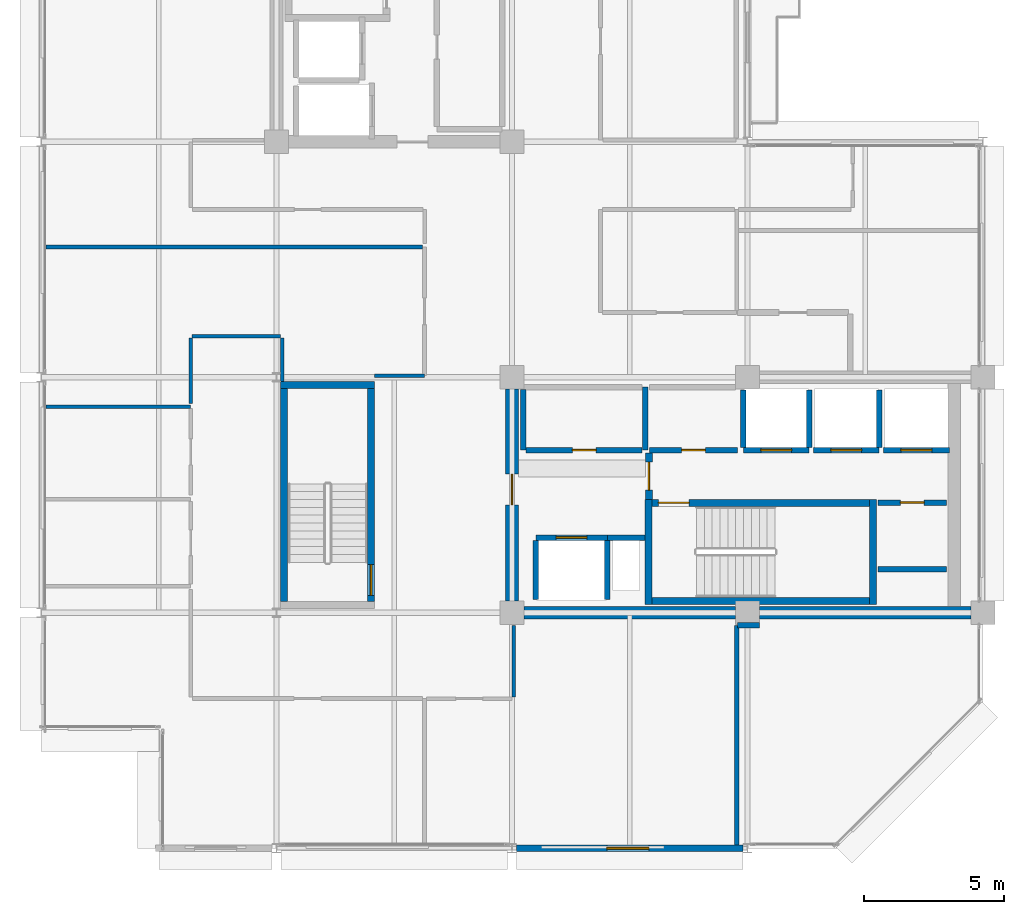
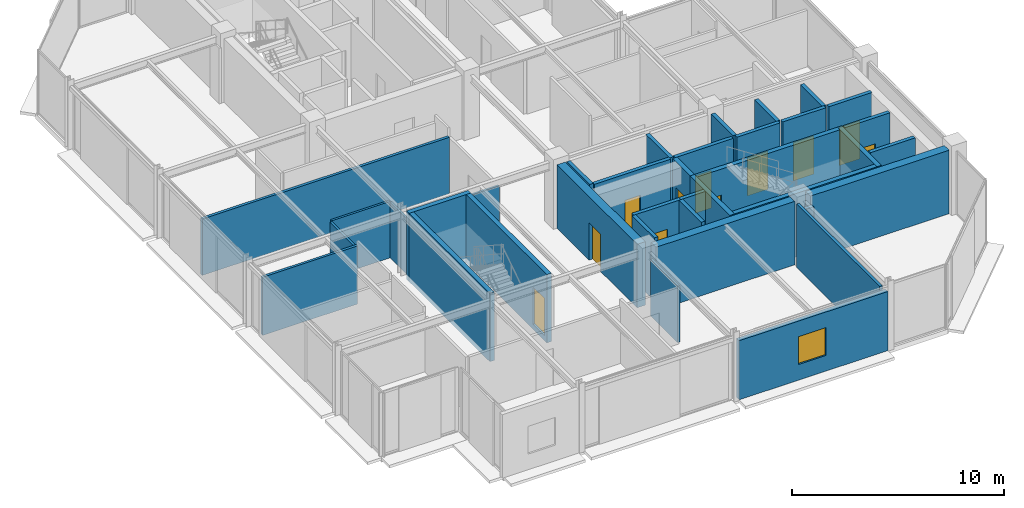
# One storey, part 20 of 25: 37 walls, 11 doors, 1 window, 12 openings.
"""IFC4 building model written with IfcOpenShell, lengths in metres."""

from ifc_helpers import new_model, si_unit, direction, frame, frame_2d, origin, place, context, subcontext, project, spatial, rectangle, extrude, material, layer, layer_set, type_object, element, fill, save


model = new_model("IFC4")

# Units and contexts
model_context = context("Model", 3, precision=1e-05, world=origin(), true_north=direction((0.0, 1.0)))
body_context = subcontext(model_context, "Body", "Model", "MODEL_VIEW")
ifc_project = project(units=[si_unit("LENGTHUNIT", "METRE"), si_unit("AREAUNIT", "SQUARE_METRE"), si_unit("VOLUMEUNIT", "CUBIC_METRE"), si_unit("PLANEANGLEUNIT", "RADIAN"), si_unit("MASSUNIT", "GRAM", prefix="KILO")], contexts=[model_context])

# Site, building, storey
site_placement = place(None, origin())
site = spatial("IfcSite", under=ifc_project, at=site_placement, CompositionType="ELEMENT")
building_placement = place(site_placement, origin())
building = spatial("IfcBuilding", under=site, at=building_placement, Name="Nerrivon Quay Data Exchange", CompositionType="ELEMENT")
storey_placement = place(building_placement, frame((0.0, 0.0, 318.199951171875)))
storey = spatial("IfcBuildingStorey", under=building, at=storey_placement, Name="L76", CompositionType="ELEMENT", Elevation=318.199951171875)

# Wall, opening, window
ifc_material_1 = material(Name="Architectural terracotta precast concrete N50 (50 MPa)", Category="masonry")
ifc_layer_1 = layer(ifc_material_1, 0.239990234375)
ifc_layer_set_1 = layer_set([ifc_layer_1], Name="Architectural terracotta precast concrete N50 (50 MPa)")
wall_type_1 = type_object("IfcWallType", Name="EW-PREC-240", PredefinedType="STANDARD", material=ifc_layer_set_1)
wall_1_placement = place(storey_placement, frame((25.04443359375, 0.0, 0.0), z_axis=(0.0, 0.0, 1.0), x_axis=(-1.0, 0.0, 0.0)))
wall_1 = element("IfcWall", 1, at=wall_1_placement, inside=storey, type_object=wall_type_1, Name="L76 Podium Precast Spandrel Wall 3", PredefinedType="STANDARD", context=body_context, shape_type="SweptSolid", body=[
    extrude(rectangle(XDim=8.0888671875, YDim=0.239990234375, at=frame_2d((4.04443359375, 0.0))), origin(), (0.0, 0.0, 1.0), 3.400146484375),
])
opening_1_placement = place(wall_1_placement, frame((3.36376953125, 0.0, 0.89990234375)))
opening_1 = element("IfcOpeningElement", 2, at=opening_1_placement, cuts=wall_1, Name="Opening WN4", PredefinedType="OPENING", context=body_context, shape_type="SweptSolid", body=[
    extrude(rectangle(XDim=1.5, YDim=1.60009765625, at=frame_2d((0.75, 0.800048828125))), frame((0.0, 0.1298828125, 0.0), z_axis=(0.0, -1.0, 0.0), x_axis=(1.0, 0.0, 0.0)), (0.0, 0.0, 1.0), 0.260009765625),
])
ifc_material_2 = material(Name="Double-glazed low-E solar control glass", Category="glass")
window_type = type_object("IfcWindowType", Name="WIN-W4-1500x1600", PartitioningType="SINGLE_PANEL", PredefinedType="WINDOW", material=ifc_material_2)
window_placement = place(opening_1_placement, origin())
window = element("IfcWindow", 3, at=window_placement, inside=storey, type_object=window_type, Name="L76 Solar Facade Window 3", OverallHeight=1.60009765625, OverallWidth=1.5, PartitioningType="SINGLE_PANEL", PredefinedType="WINDOW", context=body_context, shape_type="SweptSolid", body=[
    extrude(rectangle(XDim=1.5, YDim=1.60009765625, at=frame_2d((0.75, 0.800048828125))), frame((0.0, 0.030029296875, 0.0), z_axis=(0.0, -1.0, 0.0), x_axis=(1.0, 0.0, 0.0)), (0.0, 0.0, 1.0), 0.06005859375),
])
fill(opening_1, window)

# Walls
ifc_material_3 = material(Name="Concrete N50 (50 MPa)", Category="concrete")
ifc_layer_2 = layer(ifc_material_3, 0.449951171875)
ifc_layer_set_2 = layer_set([ifc_layer_2], Name="Concrete N50 (50 MPa)")
wall_type_2 = type_object("IfcWallType", Name="WALL-CW-550", PredefinedType="SHEAR", material=ifc_layer_set_2)
wall_2_placement = place(storey_placement, frame((17.22509765625, 8.39990234375, 0.0), z_axis=(0.0, 0.0, 1.0), x_axis=(1.0, 0.0, 0.0)))
element("IfcWall", 4, at=wall_2_placement, inside=storey, type_object=wall_type_2, Name="L76 East Split-Core Shear Wall ECW-S1", PredefinedType="SHEAR", context=body_context, shape_type="SweptSolid", body=[
    extrude(rectangle(XDim=7.5498046875, YDim=0.449951171875, at=frame_2d((3.77490234375, 0.0))), origin(), (0.0, 0.0, 1.0), 3.650146484375),
])
wall_3_placement = place(storey_placement, frame((25.625, 8.39990234375, 0.0), z_axis=(0.0, 0.0, 1.0), x_axis=(1.0, 0.0, 0.0)))
element("IfcWall", 5, at=wall_3_placement, inside=storey, type_object=wall_type_2, Name="L76 East Split-Core Shear Wall ECW-S2", PredefinedType="SHEAR", context=body_context, shape_type="SweptSolid", body=[
    extrude(rectangle(XDim=7.550048828125, YDim=0.449951171875, at=frame_2d((3.77490234375, 0.0))), origin(), (0.0, 0.0, 1.0), 3.650146484375),
])

# Wall, opening, door
wall_4_placement = place(storey_placement, frame((16.800048828125, 8.824951171875, 0.0), z_axis=(0.0, 0.0, 1.0), x_axis=(0.0, 1.0, 0.0)))
wall_4 = element("IfcWall", 6, at=wall_4_placement, inside=storey, type_object=wall_type_2, Name="L76 East Split-Core Shear Wall ECW-W1", PredefinedType="SHEAR", context=body_context, shape_type="SweptSolid", body=[
    extrude(rectangle(XDim=7.550048828125, YDim=0.449951171875, at=frame_2d((3.77490234375, 0.0))), origin(), (0.0, 0.0, 1.0), 3.650146484375),
])
opening_2_placement = place(wall_4_placement, frame((3.425048828125, 0.0, 0.0)))
opening_2 = element("IfcOpeningElement", 7, at=opening_2_placement, cuts=wall_4, Name="Opening FD-120", PredefinedType="OPENING", context=body_context, shape_type="SweptSolid", body=[
    extrude(rectangle(XDim=1.10009765625, YDim=2.14990234375, at=frame_2d((0.550048828125, 1.074951171875))), frame((0.0, 0.23486328125, 0.0), z_axis=(0.0, -1.0, 0.0), x_axis=(1.0, 0.0, 0.0)), (0.0, 0.0, 1.0), 0.469970703125),
])
ifc_material_4 = material(Name="Powder-coated galvanized steel sheet", Category="steel")
door_type_1 = type_object("IfcDoorType", Name="DR-FD120-1100", OperationType="NOTDEFINED", PredefinedType="DOOR", material=ifc_material_4)
door_1_placement = place(opening_2_placement, origin())
door_1 = element("IfcDoor", 8, at=door_1_placement, inside=storey, type_object=door_type_1, Name="L76 East Core Lobby Fire Door", OperationType="SINGLE_SWING_RIGHT", OverallHeight=2.14990234375, OverallWidth=1.10009765625, PredefinedType="DOOR", context=body_context, shape_type="SweptSolid", body=[
    extrude(rectangle(XDim=1.10009765625, YDim=2.14990234375, at=frame_2d((0.550048828125, 1.074951171875))), frame((0.0, 0.02490234375, 0.0), z_axis=(0.0, -1.0, 0.0), x_axis=(1.0, 0.0, 0.0)), (0.0, 0.0, 1.0), 0.050048828125),
])
fill(opening_2, door_1)

# Wall
ifc_material_5 = material(Name="Gypsum plasterboard on cold-formed framing", Category="gypsum")
ifc_layer_3 = layer(ifc_material_5, 0.199951171875)
ifc_layer_set_3 = layer_set([ifc_layer_3], Name="Gypsum plasterboard on cold-formed framing")
wall_type_3 = type_object("IfcWallType", Name="WALL-FW-200", PredefinedType="PARTITIONING", material=ifc_layer_set_3)
wall_5_placement = place(storey_placement, frame((20.199951171875, 11.080078125, 0.0), z_axis=(0.0, 0.0, 1.0), x_axis=(1.0, 0.0, 0.0)))
element("IfcWall", 9, at=wall_5_placement, inside=storey, type_object=wall_type_3, Name="L76 East Core MEP Riser Shaft Wall N", PredefinedType="PARTITIONING", context=body_context, shape_type="SweptSolid", body=[
    extrude(rectangle(XDim=1.35009765625, YDim=0.199951171875, at=frame_2d((0.675048828125, 0.0))), origin(), (0.0, 0.0, 1.0), 3.650146484375),
])

# Wall, opening, door
wall_6_placement = place(storey_placement, frame((17.64990234375, 11.080078125, 0.0), z_axis=(0.0, 0.0, 1.0), x_axis=(1.0, 0.0, 0.0)))
wall_6 = element("IfcWall", 10, at=wall_6_placement, inside=storey, type_object=wall_type_3, Name="L76 Lift Front Wall FFL-2", PredefinedType="PARTITIONING", context=body_context, shape_type="SweptSolid", body=[
    extrude(rectangle(XDim=2.550048828125, YDim=0.199951171875, at=frame_2d((1.27490234375, 0.0))), origin(), (0.0, 0.0, 1.0), 3.650146484375),
])
opening_3_placement = place(wall_6_placement, frame((0.72509765625, 0.0, 0.0)))
opening_3 = element("IfcOpeningElement", 11, at=opening_3_placement, cuts=wall_6, Name="Opening LD-120", PredefinedType="OPENING", context=body_context, shape_type="SweptSolid", body=[
    extrude(rectangle(XDim=1.10009765625, YDim=2.199951171875, at=frame_2d((0.550048828125, 1.10009765625))), frame((0.0, 0.10986328125, 0.0), z_axis=(0.0, -1.0, 0.0), x_axis=(1.0, 0.0, 0.0)), (0.0, 0.0, 1.0), 0.219970703125),
])
door_type_2 = type_object("IfcDoorType", Name="DR-LIFT-LD120", OperationType="DOUBLE_DOOR_SLIDING", PredefinedType="DOOR", material=ifc_material_4)
door_2_placement = place(opening_3_placement, origin())
door_2 = element("IfcDoor", 12, at=door_2_placement, inside=storey, type_object=door_type_2, Name="L76 Lift Landing Sliding Door FFL-2", OperationType="DOUBLE_DOOR_SLIDING", OverallHeight=2.199951171875, OverallWidth=1.10009765625, PredefinedType="DOOR", context=body_context, shape_type="SweptSolid", body=[
    extrude(rectangle(XDim=1.10009765625, YDim=2.199951171875, at=frame_2d((0.550048828125, 1.10009765625))), frame((0.0, 0.02490234375, 0.0), z_axis=(0.0, -1.0, 0.0), x_axis=(1.0, 0.0, 0.0)), (0.0, 0.0, 1.0), 0.050048828125),
])
fill(opening_3, door_2)

# Walls
for number, where, z_axis, x_axis, name in (
    (13, (20.199951171875, 8.8798828125, 0.0), (0.0, 0.0, 1.0), (0.0, 1.0, 0.0), "L76 Lift Shaft Wall FFL-2 EAST"),
    (14, (17.64990234375, 8.8798828125, 0.0), (0.0, 0.0, 1.0), (0.0, 1.0, 0.0), "L76 Lift Shaft Wall FFL-2 WEST"),
):
    element("IfcWall", number, at=place(storey_placement, frame(where, z_axis=z_axis, x_axis=x_axis)), inside=storey, type_object=wall_type_3, Name=name, PredefinedType="PARTITIONING", context=body_context, shape_type="SweptSolid", body=[
        extrude(rectangle(XDim=2.10009765625, YDim=0.199951171875, at=frame_2d((1.050048828125, 0.0))), origin(), (0.0, 0.0, 1.0), 3.650146484375),
    ])

# Wall, opening, door
wall_7_placement = place(storey_placement, frame((25.050048828125, 14.199951171875, 0.0), z_axis=(0.0, 0.0, 1.0), x_axis=(1.0, 0.0, 0.0)))
wall_7 = element("IfcWall", 15, at=wall_7_placement, inside=storey, type_object=wall_type_3, Name="L76 Lift Front Wall PL7", PredefinedType="PARTITIONING", context=body_context, shape_type="SweptSolid", body=[
    extrude(rectangle(XDim=2.349853515625, YDim=0.199951171875, at=frame_2d((1.1748046875, 0.0))), origin(), (0.0, 0.0, 1.0), 3.650146484375),
])
opening_4_placement = place(wall_7_placement, frame((0.625, 0.0, 0.0)))
opening_4 = element("IfcOpeningElement", 16, at=opening_4_placement, cuts=wall_7, Name="Opening LD-120", PredefinedType="OPENING", context=body_context, shape_type="SweptSolid", body=[
    extrude(rectangle(XDim=1.10009765625, YDim=2.199951171875, at=frame_2d((0.550048828125, 1.10009765625))), frame((0.0, 0.10986328125, 0.0), z_axis=(0.0, -1.0, 0.0), x_axis=(1.0, 0.0, 0.0)), (0.0, 0.0, 1.0), 0.219970703125),
])
door_3_placement = place(opening_4_placement, origin())
door_3 = element("IfcDoor", 17, at=door_3_placement, inside=storey, type_object=door_type_2, Name="L76 Lift Landing Sliding Door PL7", OperationType="DOUBLE_DOOR_SLIDING", OverallHeight=2.199951171875, OverallWidth=1.10009765625, PredefinedType="DOOR", context=body_context, shape_type="SweptSolid", body=[
    extrude(rectangle(XDim=1.10009765625, YDim=2.199951171875, at=frame_2d((0.550048828125, 1.10009765625))), frame((0.0, 0.02490234375, 0.0), z_axis=(0.0, -1.0, 0.0), x_axis=(1.0, 0.0, 0.0)), (0.0, 0.0, 1.0), 0.050048828125),
])
fill(opening_4, door_3)

# Walls
for number, where, z_axis, x_axis, name in (
    (18, (27.39990234375, 14.300048828125, 0.0), (0.0, 0.0, 1.0), (0.0, 1.0, 0.0), "L76 Lift Shaft Wall PL7 EAST"),
    (19, (25.050048828125, 14.300048828125, 0.0), (0.0, 0.0, 1.0), (0.0, 1.0, 0.0), "L76 Lift Shaft Wall PL7 WEST"),
):
    element("IfcWall", number, at=place(storey_placement, frame(where, z_axis=z_axis, x_axis=x_axis)), inside=storey, type_object=wall_type_3, Name=name, PredefinedType="PARTITIONING", context=body_context, shape_type="SweptSolid", body=[
        extrude(rectangle(XDim=2.050048828125, YDim=0.199951171875, at=frame_2d((1.02490234375, 0.0))), origin(), (0.0, 0.0, 1.0), 3.650146484375),
    ])

# Wall, opening, door
wall_8_placement = place(storey_placement, frame((27.550048828125, 14.199951171875, 0.0), z_axis=(0.0, 0.0, 1.0), x_axis=(1.0, 0.0, 0.0)))
wall_8 = element("IfcWall", 20, at=wall_8_placement, inside=storey, type_object=wall_type_3, Name="L76 Lift Front Wall PL8", PredefinedType="PARTITIONING", context=body_context, shape_type="SweptSolid", body=[
    extrude(rectangle(XDim=2.349853515625, YDim=0.199951171875, at=frame_2d((1.1748046875, 0.0))), origin(), (0.0, 0.0, 1.0), 3.650146484375),
])
opening_5_placement = place(wall_8_placement, frame((0.625, 0.0, 0.0)))
opening_5 = element("IfcOpeningElement", 21, at=opening_5_placement, cuts=wall_8, Name="Opening LD-120", PredefinedType="OPENING", context=body_context, shape_type="SweptSolid", body=[
    extrude(rectangle(XDim=1.10009765625, YDim=2.199951171875, at=frame_2d((0.550048828125, 1.10009765625))), frame((0.0, 0.10986328125, 0.0), z_axis=(0.0, -1.0, 0.0), x_axis=(1.0, 0.0, 0.0)), (0.0, 0.0, 1.0), 0.219970703125),
])
door_4_placement = place(opening_5_placement, origin())
door_4 = element("IfcDoor", 22, at=door_4_placement, inside=storey, type_object=door_type_2, Name="L76 Lift Landing Sliding Door PL8", OperationType="DOUBLE_DOOR_SLIDING", OverallHeight=2.199951171875, OverallWidth=1.10009765625, PredefinedType="DOOR", context=body_context, shape_type="SweptSolid", body=[
    extrude(rectangle(XDim=1.10009765625, YDim=2.199951171875, at=frame_2d((0.550048828125, 1.10009765625))), frame((0.0, 0.02490234375, 0.0), z_axis=(0.0, -1.0, 0.0), x_axis=(1.0, 0.0, 0.0)), (0.0, 0.0, 1.0), 0.050048828125),
])
fill(opening_5, door_4)

# Wall
wall_9_placement = place(storey_placement, frame((29.89990234375, 14.300048828125, 0.0), z_axis=(0.0, 0.0, 1.0), x_axis=(0.0, 1.0, 0.0)))
element("IfcWall", 23, at=wall_9_placement, inside=storey, type_object=wall_type_3, Name="L76 Lift Shaft Wall PL8 EAST", PredefinedType="PARTITIONING", context=body_context, shape_type="SweptSolid", body=[
    extrude(rectangle(XDim=2.050048828125, YDim=0.199951171875, at=frame_2d((1.02490234375, 0.0))), origin(), (0.0, 0.0, 1.0), 3.650146484375),
])

# Wall, opening, door
wall_10_placement = place(storey_placement, frame((30.050048828125, 14.199951171875, 0.0), z_axis=(0.0, 0.0, 1.0), x_axis=(1.0, 0.0, 0.0)))
wall_10 = element("IfcWall", 24, at=wall_10_placement, inside=storey, type_object=wall_type_3, Name="L76 Lift Front Wall PL9", PredefinedType="PARTITIONING", context=body_context, shape_type="SweptSolid", body=[
    extrude(rectangle(XDim=2.349853515625, YDim=0.199951171875, at=frame_2d((1.1748046875, 0.0))), origin(), (0.0, 0.0, 1.0), 3.650146484375),
])
opening_6_placement = place(wall_10_placement, frame((0.625, 0.0, 0.0)))
opening_6 = element("IfcOpeningElement", 25, at=opening_6_placement, cuts=wall_10, Name="Opening LD-120", PredefinedType="OPENING", context=body_context, shape_type="SweptSolid", body=[
    extrude(rectangle(XDim=1.10009765625, YDim=2.199951171875, at=frame_2d((0.550048828125, 1.10009765625))), frame((0.0, 0.10986328125, 0.0), z_axis=(0.0, -1.0, 0.0), x_axis=(1.0, 0.0, 0.0)), (0.0, 0.0, 1.0), 0.219970703125),
])
door_5_placement = place(opening_6_placement, origin())
door_5 = element("IfcDoor", 26, at=door_5_placement, inside=storey, type_object=door_type_2, Name="L76 Lift Landing Sliding Door PL9", OperationType="DOUBLE_DOOR_SLIDING", OverallHeight=2.199951171875, OverallWidth=1.10009765625, PredefinedType="DOOR", context=body_context, shape_type="SweptSolid", body=[
    extrude(rectangle(XDim=1.10009765625, YDim=2.199951171875, at=frame_2d((0.550048828125, 1.10009765625))), frame((0.0, 0.02490234375, 0.0), z_axis=(0.0, -1.0, 0.0), x_axis=(1.0, 0.0, 0.0)), (0.0, 0.0, 1.0), 0.050048828125),
])
fill(opening_6, door_5)

# Walls
wall_11_placement = place(storey_placement, frame((21.550048828125, 14.199951171875, 0.0), z_axis=(0.0, 0.0, 1.0), x_axis=(0.0, 1.0, 0.0)))
element("IfcWall", 27, at=wall_11_placement, inside=storey, type_object=wall_type_3, Name="L76 Partition High-Zone Calibration Store", PredefinedType="PARTITIONING", context=body_context, shape_type="SweptSolid", body=[
    extrude(rectangle(XDim=2.25, YDim=0.199951171875, at=frame_2d((1.125, 0.0))), origin(), (0.0, 0.0, 1.0), 3.650146484375),
])
wall_12_placement = place(storey_placement, frame((17.199951171875, 16.3701171875, 0.0), z_axis=(0.0, 0.0, 1.0), x_axis=(0.0, -1.0, 0.0)))
element("IfcWall", 28, at=wall_12_placement, inside=storey, type_object=wall_type_3, Name="L76 Partition High-Zone Calibration Store", PredefinedType="PARTITIONING", context=body_context, shape_type="SweptSolid", body=[
    extrude(rectangle(XDim=2.170166015625, YDim=0.199951171875, at=frame_2d((1.0849609375, 0.0))), origin(), (0.0, 0.0, 1.0), 3.650146484375),
])

# Wall, opening, door
wall_13_placement = place(storey_placement, frame((17.303955078125, 14.199951171875, 0.0), z_axis=(0.0, 0.0, 1.0), x_axis=(1.0, 0.0, 0.0)))
wall_13 = element("IfcWall", 29, at=wall_13_placement, inside=storey, type_object=wall_type_3, Name="L76 Partition High-Zone Calibration Store", PredefinedType="PARTITIONING", context=body_context, shape_type="SweptSolid", body=[
    extrude(rectangle(XDim=4.14208984375, YDim=0.199951171875, at=frame_2d((2.071044921875, 0.0))), origin(), (0.0, 0.0, 1.0), 3.650146484375),
])
opening_7_placement = place(wall_13_placement, frame((1.64599609375, 0.0, 0.0)))
opening_7 = element("IfcOpeningElement", 30, at=opening_7_placement, cuts=wall_13, Name="Opening FD-60S", PredefinedType="OPENING", context=body_context, shape_type="SweptSolid", body=[
    extrude(rectangle(XDim=0.85009765625, YDim=2.14990234375, at=frame_2d((0.425048828125, 1.074951171875))), frame((0.0, 0.10986328125, 0.0), z_axis=(0.0, -1.0, 0.0), x_axis=(1.0, 0.0, 0.0)), (0.0, 0.0, 1.0), 0.219970703125),
])
ifc_material_6 = material(Name="Engineered hardwood timber", Category="wood")
door_type_3 = type_object("IfcDoorType", Name="DR-FD60-850", OperationType="NOTDEFINED", PredefinedType="DOOR", material=ifc_material_6)
door_6_placement = place(opening_7_placement, origin())
door_6 = element("IfcDoor", 31, at=door_6_placement, inside=storey, type_object=door_type_3, Name="L76 Door High-Zone Calibration Store", OperationType="SINGLE_SWING_RIGHT", OverallHeight=2.14990234375, OverallWidth=0.85009765625, PredefinedType="DOOR", context=body_context, shape_type="SweptSolid", body=[
    extrude(rectangle(XDim=0.85009765625, YDim=2.14990234375, at=frame_2d((0.425048828125, 1.074951171875))), frame((0.0, 0.02490234375, 0.0), z_axis=(0.0, -1.0, 0.0), x_axis=(1.0, 0.0, 0.0)), (0.0, 0.0, 1.0), 0.050048828125),
])
fill(opening_7, door_6)

wall_14_placement = place(storey_placement, frame((21.699951171875, 14.199951171875, 0.0), z_axis=(0.0, 0.0, 1.0), x_axis=(1.0, 0.0, 0.0)))
wall_14 = element("IfcWall", 32, at=wall_14_placement, inside=storey, type_object=wall_type_3, Name="L76 Partition High-Zone Network Closet", PredefinedType="PARTITIONING", context=body_context, shape_type="SweptSolid", body=[
    extrude(rectangle(XDim=3.150146484375, YDim=0.199951171875, at=frame_2d((1.5751953125, 0.0))), origin(), (0.0, 0.0, 1.0), 3.650146484375),
])
opening_8_placement = place(wall_14_placement, frame((1.14990234375, 0.0, 0.0)))
opening_8 = element("IfcOpeningElement", 33, at=opening_8_placement, cuts=wall_14, Name="Opening FD-60S", PredefinedType="OPENING", context=body_context, shape_type="SweptSolid", body=[
    extrude(rectangle(XDim=0.85009765625, YDim=2.14990234375, at=frame_2d((0.425048828125, 1.074951171875))), frame((0.0, 0.10986328125, 0.0), z_axis=(0.0, -1.0, 0.0), x_axis=(1.0, 0.0, 0.0)), (0.0, 0.0, 1.0), 0.219970703125),
])
door_7_placement = place(opening_8_placement, origin())
door_7 = element("IfcDoor", 34, at=door_7_placement, inside=storey, type_object=door_type_3, Name="L76 Door High-Zone Network Closet", OperationType="SINGLE_SWING_LEFT", OverallHeight=2.14990234375, OverallWidth=0.85009765625, PredefinedType="DOOR", context=body_context, shape_type="SweptSolid", body=[
    extrude(rectangle(XDim=0.85009765625, YDim=2.14990234375, at=frame_2d((0.425048828125, 1.074951171875))), frame((0.0, 0.02490234375, 0.0), z_axis=(0.0, -1.0, 0.0), x_axis=(1.0, 0.0, 0.0)), (0.0, 0.0, 1.0), 0.050048828125),
])
fill(opening_8, door_7)

wall_15_placement = place(storey_placement, frame((32.300048828125, 12.330078125, 0.0), z_axis=(0.0, 0.0, 1.0), x_axis=(-1.0, 0.0, 0.0)))
wall_15 = element("IfcWall", 35, at=wall_15_placement, inside=storey, type_object=wall_type_3, Name="L76 Partition East Supply Store", PredefinedType="PARTITIONING", context=body_context, shape_type="SweptSolid", body=[
    extrude(rectangle(XDim=2.449951171875, YDim=0.199951171875, at=frame_2d((1.22509765625, 0.0))), origin(), (0.0, 0.0, 1.0), 3.650146484375),
])
opening_9_placement = place(wall_15_placement, frame((0.800048828125, 0.0, 0.0)))
opening_9 = element("IfcOpeningElement", 36, at=opening_9_placement, cuts=wall_15, Name="Opening FD-60S", PredefinedType="OPENING", context=body_context, shape_type="SweptSolid", body=[
    extrude(rectangle(XDim=0.85009765625, YDim=2.14990234375, at=frame_2d((0.425048828125, 1.074951171875))), frame((0.0, 0.10986328125, 0.0), z_axis=(0.0, -1.0, 0.0), x_axis=(1.0, 0.0, 0.0)), (0.0, 0.0, 1.0), 0.219970703125),
])
door_8_placement = place(opening_9_placement, origin())
door_8 = element("IfcDoor", 37, at=door_8_placement, inside=storey, type_object=door_type_3, Name="L76 Door East Supply Store", OperationType="SINGLE_SWING_RIGHT", OverallHeight=2.14990234375, OverallWidth=0.85009765625, PredefinedType="DOOR", context=body_context, shape_type="SweptSolid", body=[
    extrude(rectangle(XDim=0.85009765625, YDim=2.14990234375, at=frame_2d((0.425048828125, 1.074951171875))), frame((0.0, 0.02490234375, 0.0), z_axis=(0.0, -1.0, 0.0), x_axis=(1.0, 0.0, 0.0)), (0.0, 0.0, 1.0), 0.050048828125),
])
fill(opening_9, door_8)

# Walls
wall_16_placement = place(storey_placement, frame((29.85009765625, 9.949951171875, 0.0), z_axis=(0.0, 0.0, 1.0), x_axis=(1.0, 0.0, 0.0)))
element("IfcWall", 38, at=wall_16_placement, inside=storey, type_object=wall_type_3, Name="L76 Partition East Supply Store", PredefinedType="PARTITIONING", context=body_context, shape_type="SweptSolid", body=[
    extrude(rectangle(XDim=2.449951171875, YDim=0.199951171875, at=frame_2d((1.22509765625, 0.0))), origin(), (0.0, 0.0, 1.0), 3.650146484375),
])
wall_17_placement = place(storey_placement, frame((25.630859375, 7.955810546875, 0.0), z_axis=(0.0, 0.0, 1.0), x_axis=(-0.999999575533, -0.00092137553, 0.0)))
element("IfcWall", 39, at=wall_17_placement, inside=storey, type_object=wall_type_3, Name="L76 Partition Colocation Data Workspace 1", PredefinedType="PARTITIONING", context=body_context, shape_type="SweptSolid", body=[
    extrude(rectangle(XDim=0.794921875, YDim=0.199951171875, at=frame_2d((0.3974609375, 0.0))), origin(), (0.0, 0.0, 1.0), 3.244140625),
])
ifc_layer_4 = layer(ifc_material_5, 0.1201171875)
ifc_layer_set_4 = layer_set([ifc_layer_4], Name="Gypsum plasterboard on cold-formed framing")
wall_type_4 = type_object("IfcWallType", Name="WALL-PT-120", PredefinedType="PARTITIONING", material=ifc_layer_set_4)
wall_18_placement = place(storey_placement, frame((11.89404296875, 16.859619140625, 0.0), z_axis=(0.0, 0.0, 1.0), x_axis=(0.999999962735, 0.000273000263, 0.0)))
element("IfcWall", 40, at=wall_18_placement, inside=storey, type_object=wall_type_4, Name="L76 Partition Peering Huddle Meeting Room", PredefinedType="PARTITIONING", context=body_context, shape_type="SweptSolid", body=[
    extrude(rectangle(XDim=1.78857421875, YDim=0.1201171875, at=frame_2d((0.894287109375, 0.0))), origin(), (0.0, 0.0, 1.0), 3.196044921875),
])
wall_19_placement = place(storey_placement, frame((5.340087890625, 15.8701171875, 0.0), z_axis=(0.0, 0.0, 1.0), x_axis=(0.0, 1.0, 0.0)))
element("IfcWall", 41, at=wall_19_placement, inside=storey, type_object=wall_type_4, Name="L76 Partition Peering Huddle Meeting Room", PredefinedType="PARTITIONING", context=body_context, shape_type="SweptSolid", body=[
    extrude(rectangle(XDim=2.329833984375, YDim=0.1201171875, at=frame_2d((1.1650390625, 0.0))), origin(), (0.0, 0.0, 1.0), 3.196044921875),
])
wall_20_placement = place(storey_placement, frame((5.39404296875, 18.259765625, 0.0), z_axis=(0.0, 0.0, 1.0), x_axis=(0.999999997008, 7.7357469e-05, 0.0)))
element("IfcWall", 42, at=wall_20_placement, inside=storey, type_object=wall_type_4, Name="L76 Partition Peering Huddle Meeting Room", PredefinedType="PARTITIONING", context=body_context, shape_type="SweptSolid", body=[
    extrude(rectangle(XDim=3.156005859375, YDim=0.1201171875, at=frame_2d((1.578125, 0.0))), origin(), (0.0, 0.0, 1.0), 3.244140625),
])
wall_21_placement = place(storey_placement, frame((8.610107421875, 18.199951171875, 0.0), z_axis=(0.0, 0.0, 1.0), x_axis=(0.0, -1.0, 0.0)))
element("IfcWall", 43, at=wall_21_placement, inside=storey, type_object=wall_type_4, Name="L76 Partition Peering Huddle Meeting Room", PredefinedType="PARTITIONING", context=body_context, shape_type="SweptSolid", body=[
    extrude(rectangle(XDim=1.5458984375, YDim=0.1201171875, at=frame_2d((0.77294921875, 0.0))), origin(), (0.0, 0.0, 1.0), 3.196044921875),
])
wall_22_placement = place(storey_placement, frame((16.860107421875, 7.955078125, 0.0), z_axis=(0.0, 0.0, 1.0), x_axis=(0.0, -1.0, 0.0)))
element("IfcWall", 44, at=wall_22_placement, inside=storey, type_object=wall_type_4, Name="L76 Partition Cloud Compute Workspace 1", PredefinedType="PARTITIONING", context=body_context, shape_type="SweptSolid", body=[
    extrude(rectangle(XDim=2.55517578125, YDim=0.1201171875, at=frame_2d((1.277587890625, 0.0))), origin(), (0.0, 0.0, 1.0), 3.244140625),
])
ifc_layer_5 = layer(ifc_material_5, 0.135009765625)
ifc_layer_set_5 = layer_set([ifc_layer_5], Name="Gypsum plasterboard on cold-formed framing")
wall_type_5 = type_object("IfcWallType", Name="WALL-PT-135", PredefinedType="PARTITIONING", material=ifc_layer_set_5)
wall_23_placement = place(storey_placement, frame((5.340087890625, 15.75, 0.0), z_axis=(0.0, 0.0, 1.0), x_axis=(-1.0, 0.0, 0.0)))
element("IfcWall", 45, at=wall_23_placement, inside=storey, type_object=wall_type_5, Name="L76 Partition Public Washrooms", PredefinedType="PARTITIONING", context=body_context, shape_type="SweptSolid", body=[
    extrude(rectangle(XDim=5.171142578125, YDim=0.135009765625, at=frame_2d((2.58544921875, 0.0))), origin(), (0.0, 0.0, 1.0), 3.345947265625),
])
ifc_layer_6 = layer(ifc_material_5, 0.14990234375)
ifc_layer_set_6 = layer_set([ifc_layer_6], Name="Gypsum plasterboard on cold-formed framing")
wall_type_6 = type_object("IfcWallType", Name="WALL-PT-150", PredefinedType="PARTITIONING", material=ifc_layer_set_6)
wall_24_placement = place(storey_placement, frame((13.611083984375, 21.444580078125, 0.0), z_axis=(0.0, 0.0, 1.0), x_axis=(-1.0, 0.0, 0.0)))
element("IfcWall", 46, at=wall_24_placement, inside=storey, type_object=wall_type_6, Name="L76 Partition Peering Huddle Meeting Room", PredefinedType="PARTITIONING", context=body_context, shape_type="SweptSolid", body=[
    extrude(rectangle(XDim=13.442138671875, YDim=0.14990234375, at=frame_2d((6.72119140625, 0.0))), origin(), (0.0, 0.0, 1.0), 3.244140625),
])
wall_25_placement = place(storey_placement, frame((24.81591796875, 0.1240234375, 0.0), z_axis=(0.0, 0.0, 1.0), x_axis=(0.0, 1.0, 0.0)))
element("IfcWall", 47, at=wall_25_placement, inside=storey, type_object=wall_type_6, Name="L76 Partition Cloud Compute Workspace 1", PredefinedType="PARTITIONING", context=body_context, shape_type="SweptSolid", body=[
    extrude(rectangle(XDim=7.8310546875, YDim=0.14990234375, at=frame_2d((3.91552734375, 0.0))), origin(), (0.0, 0.0, 1.0), 3.650146484375),
])
ifc_layer_7 = layer(ifc_material_3, 0.25)
ifc_layer_set_7 = layer_set([ifc_layer_7], Name="Concrete N50 (50 MPa)")
wall_type_7 = type_object("IfcWallType", Name="WALL-SW-250", PredefinedType="SHEAR", material=ifc_layer_set_7)
for number, where, z_axis, x_axis, name in (
    (48, (21.675048828125, 8.699951171875, 0.0), (0.0, 0.0, 1.0), (0.0, 1.0, 0.0), "L76 ST02 Structural Stair Core Wall NEAR"),
    (49, (29.675048828125, 8.699951171875, 0.0), (0.0, 0.0, 1.0), (0.0, 1.0, 0.0), "L76 ST02 Structural Stair Core Wall FAR"),
):
    element("IfcWall", number, at=place(storey_placement, frame(where, z_axis=z_axis, x_axis=x_axis)), inside=storey, type_object=wall_type_7, Name=name, PredefinedType="SHEAR", context=body_context, shape_type="SweptSolid", body=[
        extrude(rectangle(XDim=3.75, YDim=0.25, at=frame_2d((1.875, 0.0))), origin(), (0.0, 0.0, 1.0), 3.650146484375),
    ])
wall_26_placement = place(storey_placement, frame((21.800048828125, 8.824951171875, 0.0), z_axis=(0.0, 0.0, 1.0), x_axis=(1.0, 0.0, 0.0)))
element("IfcWall", 50, at=wall_26_placement, inside=storey, type_object=wall_type_7, Name="L76 ST02 Structural Stair Core Wall LEFT", PredefinedType="SHEAR", context=body_context, shape_type="SweptSolid", body=[
    extrude(rectangle(XDim=7.75, YDim=0.25, at=frame_2d((3.875, 0.0))), origin(), (0.0, 0.0, 1.0), 3.650146484375),
])

# Wall, opening, door
wall_27_placement = place(storey_placement, frame((21.800048828125, 12.324951171875, 0.0), z_axis=(0.0, 0.0, 1.0), x_axis=(1.0, 0.0, 0.0)))
wall_27 = element("IfcWall", 51, at=wall_27_placement, inside=storey, type_object=wall_type_7, Name="L76 ST02 Structural Stair Core Wall RIGHT", PredefinedType="SHEAR", context=body_context, shape_type="SweptSolid", body=[
    extrude(rectangle(XDim=7.75, YDim=0.25, at=frame_2d((3.875, 0.0))), origin(), (0.0, 0.0, 1.0), 3.650146484375),
])
opening_10_placement = place(wall_27_placement, frame((0.219970703125, 0.0, 0.0)))
opening_10 = element("IfcOpeningElement", 52, at=opening_10_placement, cuts=wall_27, Name="Opening FD-120", PredefinedType="OPENING", context=body_context, shape_type="SweptSolid", body=[
    extrude(rectangle(XDim=1.10009765625, YDim=2.14990234375, at=frame_2d((0.550048828125, 1.074951171875))), frame((0.0, 0.135009765625, 0.0), z_axis=(0.0, -1.0, 0.0), x_axis=(1.0, 0.0, 0.0)), (0.0, 0.0, 1.0), 0.27001953125),
])
door_9_placement = place(opening_10_placement, origin())
door_9 = element("IfcDoor", 53, at=door_9_placement, inside=storey, type_object=door_type_1, Name="L76 Protected Stair Door ST02", OperationType="SINGLE_SWING_RIGHT", OverallHeight=2.14990234375, OverallWidth=1.10009765625, PredefinedType="DOOR", context=body_context, shape_type="SweptSolid", body=[
    extrude(rectangle(XDim=1.10009765625, YDim=2.14990234375, at=frame_2d((0.550048828125, 1.074951171875))), frame((0.0, 0.02490234375, 0.0), z_axis=(0.0, -1.0, 0.0), x_axis=(1.0, 0.0, 0.0)), (0.0, 0.0, 1.0), 0.050048828125),
])
fill(opening_10, door_9)

# Wall
wall_28_placement = place(storey_placement, frame((11.89990234375, 16.52490234375, -0.27490234375), z_axis=(0.0, 0.0, 1.0), x_axis=(-1.0, 0.0, 0.0)))
element("IfcWall", 54, at=wall_28_placement, inside=storey, type_object=wall_type_7, Name="L76 ST08 Structural Stair Core Wall FAR", PredefinedType="SHEAR", context=body_context, shape_type="SweptSolid", body=[
    extrude(rectangle(XDim=3.349853515625, YDim=0.25, at=frame_2d((1.6748046875, 0.0))), origin(), (0.0, 0.0, 1.0), 3.925048828125),
])

# Wall, opening, door
wall_29_placement = place(storey_placement, frame((11.77490234375, 8.800048828125, -0.27490234375), z_axis=(0.0, 0.0, 1.0), x_axis=(0.0, 1.0, 0.0)))
wall_29 = element("IfcWall", 55, at=wall_29_placement, inside=storey, type_object=wall_type_7, Name="L76 ST08 Structural Stair Core Wall LEFT", PredefinedType="SHEAR", context=body_context, shape_type="SweptSolid", body=[
    extrude(rectangle(XDim=7.599853515625, YDim=0.25, at=frame_2d((3.7998046875, 0.0))), origin(), (0.0, 0.0, 1.0), 3.925048828125),
])
opening_11_placement = place(wall_29_placement, frame((0.219970703125, 0.0, 0.27490234375)))
opening_11 = element("IfcOpeningElement", 56, at=opening_11_placement, cuts=wall_29, Name="Opening FD-120", PredefinedType="OPENING", context=body_context, shape_type="SweptSolid", body=[
    extrude(rectangle(XDim=1.10009765625, YDim=2.14990234375, at=frame_2d((0.550048828125, 1.074951171875))), frame((0.0, 0.135009765625, 0.0), z_axis=(0.0, -1.0, 0.0), x_axis=(1.0, 0.0, 0.0)), (0.0, 0.0, 1.0), 0.27001953125),
])
door_10_placement = place(opening_11_placement, origin())
door_10 = element("IfcDoor", 57, at=door_10_placement, inside=storey, type_object=door_type_1, Name="L76 Protected Stair Door ST08", OperationType="SINGLE_SWING_LEFT", OverallHeight=2.14990234375, OverallWidth=1.10009765625, PredefinedType="DOOR", context=body_context, shape_type="SweptSolid", body=[
    extrude(rectangle(XDim=1.10009765625, YDim=2.14990234375, at=frame_2d((0.550048828125, 1.074951171875))), frame((0.0, 0.02490234375, 0.0), z_axis=(0.0, -1.0, 0.0), x_axis=(1.0, 0.0, 0.0)), (0.0, 0.0, 1.0), 0.050048828125),
])
fill(opening_11, door_10)

# Wall
wall_30_placement = place(storey_placement, frame((8.675048828125, 8.800048828125, -0.27490234375), z_axis=(0.0, 0.0, 1.0), x_axis=(0.0, 1.0, 0.0)))
element("IfcWall", 58, at=wall_30_placement, inside=storey, type_object=wall_type_7, Name="L76 ST08 Structural Stair Core Wall RIGHT", PredefinedType="SHEAR", context=body_context, shape_type="SweptSolid", body=[
    extrude(rectangle(XDim=7.599853515625, YDim=0.25, at=frame_2d((3.7998046875, 0.0))), origin(), (0.0, 0.0, 1.0), 3.925048828125),
])

# Wall, opening, door
wall_31_placement = place(storey_placement, frame((21.679931640625, 12.449951171875, 0.0), z_axis=(0.0, 0.0, 1.0), x_axis=(0.0, 1.0, 0.0)))
wall_31 = element("IfcWall", 59, at=wall_31_placement, inside=storey, type_object=wall_type_7, Name="L76 East Firefighting Lobby Wall", PredefinedType="SHEAR", context=body_context, shape_type="SweptSolid", body=[
    extrude(rectangle(XDim=1.650146484375, YDim=0.25, at=frame_2d((0.8251953125, 0.0))), origin(), (0.0, 0.0, 1.0), 3.650146484375),
])
opening_12_placement = place(wall_31_placement, frame((0.324951171875, 0.0, 0.0)))
opening_12 = element("IfcOpeningElement", 60, at=opening_12_placement, cuts=wall_31, Name="Opening FD-60", PredefinedType="OPENING", context=body_context, shape_type="SweptSolid", body=[
    extrude(rectangle(XDim=1.0, YDim=2.14990234375, at=frame_2d((0.5, 1.074951171875))), frame((0.0, 0.135009765625, 0.0), z_axis=(0.0, -1.0, 0.0), x_axis=(1.0, 0.0, 0.0)), (0.0, 0.0, 1.0), 0.27001953125),
])
door_type_4 = type_object("IfcDoorType", Name="DR-FD60-1000", OperationType="NOTDEFINED", PredefinedType="DOOR", material=ifc_material_6)
door_11_placement = place(opening_12_placement, origin())
door_11 = element("IfcDoor", 61, at=door_11_placement, inside=storey, type_object=door_type_4, Name="L76 East Firefighting Lobby Fire Door", OperationType="SINGLE_SWING_LEFT", OverallHeight=2.14990234375, OverallWidth=1.0, PredefinedType="DOOR", context=body_context, shape_type="SweptSolid", body=[
    extrude(rectangle(XDim=1.0, YDim=2.14990234375, at=frame_2d((0.5, 1.074951171875))), frame((0.0, 0.02490234375, 0.0), z_axis=(0.0, -1.0, 0.0), x_axis=(1.0, 0.0, 0.0)), (0.0, 0.0, 1.0), 0.050048828125),
])
fill(opening_12, door_11)

save(model, "model.ifc")
